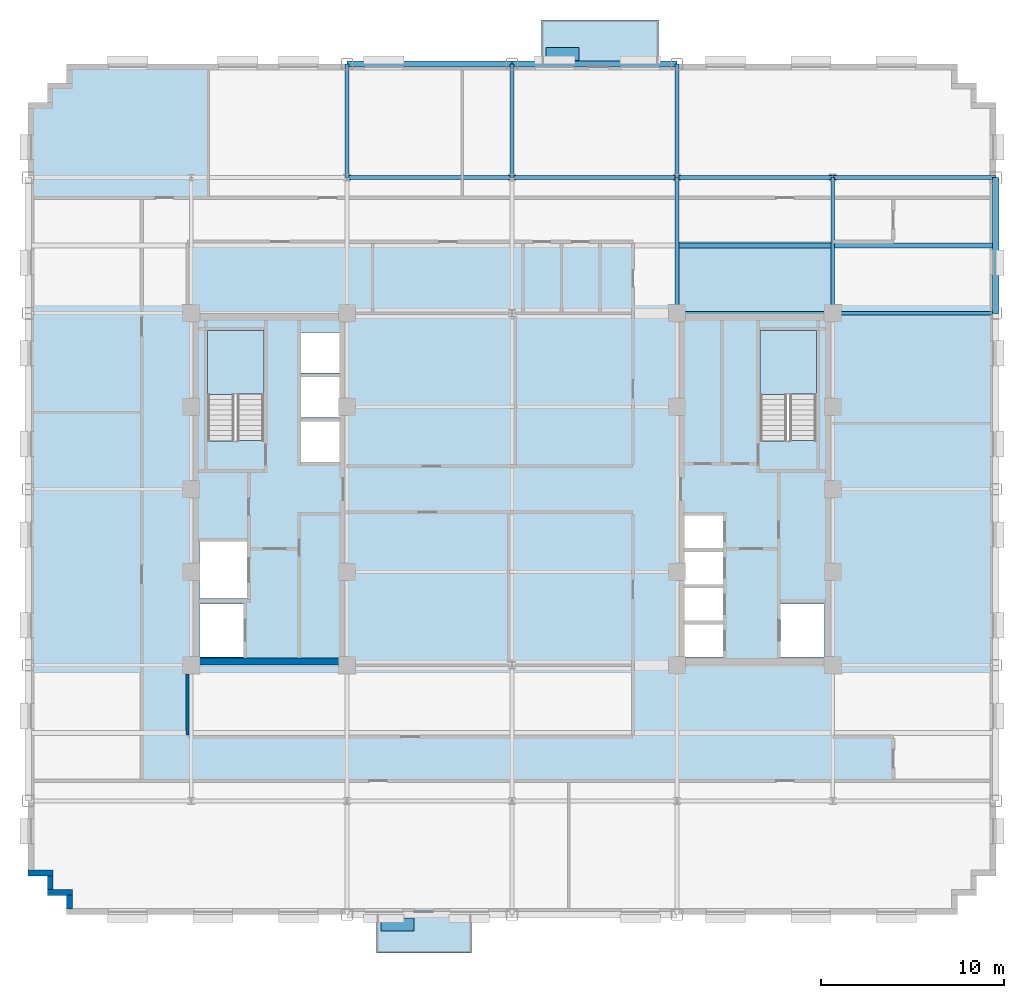
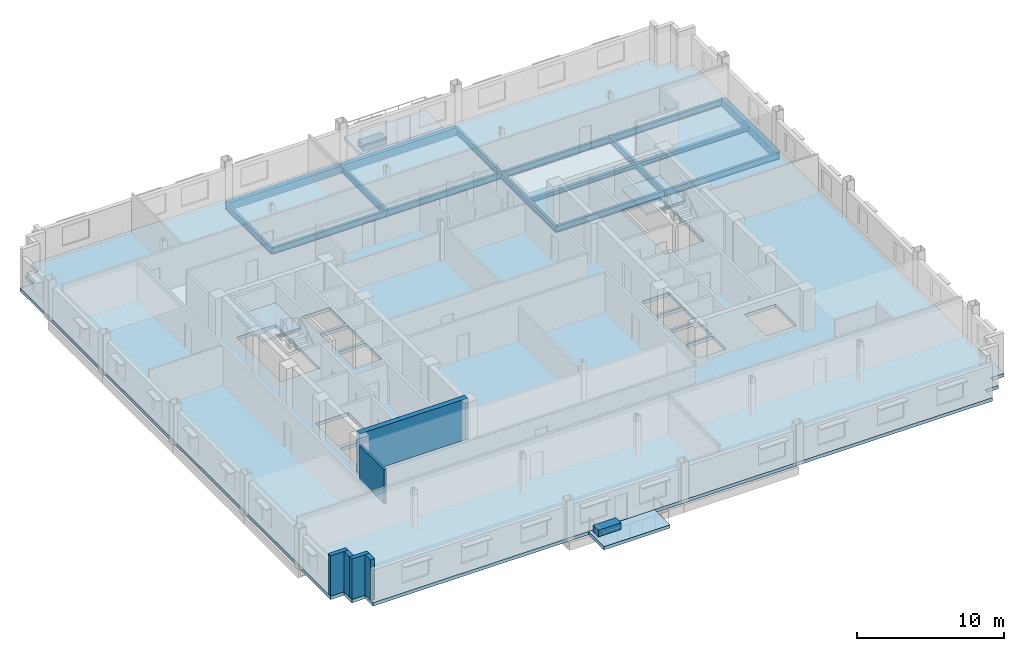
# One storey, part 5 of 14: 16 beams, 6 walls, 5 slabs, 2 plates, 2 elements without a shape of their own.
"""IFC4 building model written with IfcOpenShell, lengths in metres."""

from ifc_helpers import new_model, si_unit, direction, frame, frame_2d, origin, origin_2d, place, context, subcontext, project, spatial, polyline, rectangle, i_section, outline, extrude, source, transform, mapped, material, layer, layer_set, material_profile, profile_set, type_object, type_shapes, element, aggregate, save


model = new_model("IFC4")

# Units and contexts
model_context = context("Model", 3, precision=1e-05, world=origin(), true_north=direction((0.0, 1.0)))
body_context = subcontext(model_context, "Body", "Model", "MODEL_VIEW")
ifc_project = project(units=[si_unit("LENGTHUNIT", "METRE"), si_unit("AREAUNIT", "SQUARE_METRE"), si_unit("VOLUMEUNIT", "CUBIC_METRE"), si_unit("PLANEANGLEUNIT", "RADIAN"), si_unit("MASSUNIT", "GRAM", prefix="KILO")], contexts=[model_context])

# Site, building, storey
site_placement = place(None, origin())
site = spatial("IfcSite", under=ifc_project, at=site_placement, CompositionType="ELEMENT")
building_placement = place(site_placement, origin())
building = spatial("IfcBuilding", under=site, at=building_placement, Name="Nuvemarco Arch Tower", CompositionType="ELEMENT")
storey_placement = place(building_placement, frame((0.0, 0.0, 142.10009765625)))
storey = spatial("IfcBuildingStorey", under=building, at=storey_placement, Name="L37", CompositionType="ELEMENT", Elevation=142.10009765625)

# Beams
ifc_material_1 = material(Name="Steel S355", Category="steel")
ifc_material_profile_1 = material_profile(ifc_material_1, i_section(OverallWidth=0.2109375, OverallDepth=0.5390625, WebThickness=0.01171875, FlangeThickness=0.018798828125, FilletRadius=0.01611328125, at=origin_2d()), Name="W530x109")
ifc_profile_set_1 = profile_set([ifc_material_profile_1], Name="Steel S355")
beam_type_1 = type_object("IfcBeamType", Name="BM-GIRD-530", PredefinedType="BEAM", material=ifc_profile_set_1)
for number, where, z_axis, x_axis, name in (
    (1, (-9.0, 17.0, -0.549560546875), (0.0, 1.0, 0.0), (-1.0, 0.0, 0.0), "L37 structural beam BGNS_L37_0_-9.0_+17.0"),
    (2, (0.0, 17.0, -0.549560546875), (0.0, 1.0, 0.0), (-1.0, 0.0, 0.0), "L37 structural beam BGNS_L37_0_+0.0_+17.0"),
):
    element("IfcBeam", number, at=place(storey_placement, frame(where, z_axis=z_axis, x_axis=x_axis)), inside=storey, type_object=beam_type_1, Name=name, PredefinedType="BEAM", context=body_context, shape_type="SweptSolid", body=[
        extrude(i_section(OverallWidth=0.2109375, OverallDepth=0.5390625, WebThickness=0.01171875, FlangeThickness=0.018798828125, FilletRadius=0.01611328125, at=origin_2d()), origin(), (0.0, 0.0, 1.0), 6.199951171875),
    ])
beam_1_placement = place(storey_placement, frame((9.0, 9.60009765625, -0.549560546875), z_axis=(0.0, 1.0, 0.0), x_axis=(-1.0, 0.0, 0.0)))
element("IfcBeam", 3, at=beam_1_placement, inside=storey, type_object=beam_type_1, Name="L37 structural beam BGNS_L37_0_+9.0_+9.6", PredefinedType="BEAM", context=body_context, shape_type="SweptSolid", body=[
    extrude(i_section(OverallWidth=0.2109375, OverallDepth=0.5390625, WebThickness=0.01171875, FlangeThickness=0.018798828125, FilletRadius=0.01611328125, at=origin_2d()), origin(), (0.0, 0.0, 1.0), 7.39990234375),
])
beam_2_placement = place(storey_placement, frame((9.0, 17.0, -0.549560546875), z_axis=(0.0, 1.0, 0.0), x_axis=(-1.0, 0.0, 0.0)))
element("IfcBeam", 4, at=beam_2_placement, inside=storey, type_object=beam_type_1, Name="L37 structural beam BGNS_L37_0_+9.0_+17.0", PredefinedType="BEAM", context=body_context, shape_type="SweptSolid", body=[
    extrude(i_section(OverallWidth=0.2109375, OverallDepth=0.5390625, WebThickness=0.01171875, FlangeThickness=0.018798828125, FilletRadius=0.01611328125, at=origin_2d()), origin(), (0.0, 0.0, 1.0), 6.199951171875),
])
beam_3_placement = place(storey_placement, frame((17.5, 9.60009765625, -0.549560546875), z_axis=(0.0, 1.0, 0.0), x_axis=(-1.0, 0.0, 0.0)))
element("IfcBeam", 5, at=beam_3_placement, inside=storey, type_object=beam_type_1, Name="L37 structural beam BGNS_L37_0_+17.5_+9.6", PredefinedType="BEAM", context=body_context, shape_type="SweptSolid", body=[
    extrude(i_section(OverallWidth=0.2109375, OverallDepth=0.5390625, WebThickness=0.01171875, FlangeThickness=0.018798828125, FilletRadius=0.01611328125, at=origin_2d()), origin(), (0.0, 0.0, 1.0), 7.39990234375),
])
beam_4_placement = place(storey_placement, frame((9.0, 9.60009765625, -0.549560546875), z_axis=(1.0, 0.0, 0.0), x_axis=(0.0, 1.0, 0.0)))
element("IfcBeam", 6, at=beam_4_placement, inside=storey, type_object=beam_type_1, Name="L37 structural beam BGEW_L37_0_+9.6_+9.0", PredefinedType="BEAM", context=body_context, shape_type="SweptSolid", body=[
    extrude(i_section(OverallWidth=0.2109375, OverallDepth=0.5390625, WebThickness=0.01171875, FlangeThickness=0.018798828125, FilletRadius=0.01611328125, at=origin_2d()), origin(), (0.0, 0.0, 1.0), 8.5),
])
beam_5_placement = place(storey_placement, frame((17.5, 9.60009765625, -0.549560546875), z_axis=(1.0, 0.0, 0.0), x_axis=(0.0, 1.0, 0.0)))
element("IfcBeam", 7, at=beam_5_placement, inside=storey, type_object=beam_type_1, Name="L37 structural beam BGEW_L37_0_+9.6_+17.5", PredefinedType="BEAM", context=body_context, shape_type="SweptSolid", body=[
    extrude(i_section(OverallWidth=0.2109375, OverallDepth=0.5390625, WebThickness=0.01171875, FlangeThickness=0.018798828125, FilletRadius=0.01611328125, at=origin_2d()), origin(), (0.0, 0.0, 1.0), 8.89990234375),
])
for number, where, z_axis, x_axis, name in (
    (8, (-9.0, 17.0, -0.549560546875), (1.0, 0.0, 0.0), (0.0, 1.0, 0.0), "L37 structural beam BGEW_L37_0_+17.0_-9.0"),
    (9, (0.0, 17.0, -0.549560546875), (1.0, 0.0, 0.0), (0.0, 1.0, 0.0), "L37 structural beam BGEW_L37_0_+17.0_+0.0"),
):
    element("IfcBeam", number, at=place(storey_placement, frame(where, z_axis=z_axis, x_axis=x_axis)), inside=storey, type_object=beam_type_1, Name=name, PredefinedType="BEAM", context=body_context, shape_type="SweptSolid", body=[
        extrude(i_section(OverallWidth=0.2109375, OverallDepth=0.5390625, WebThickness=0.01171875, FlangeThickness=0.018798828125, FilletRadius=0.01611328125, at=origin_2d()), origin(), (0.0, 0.0, 1.0), 9.0),
    ])
beam_6_placement = place(storey_placement, frame((9.0, 17.0, -0.549560546875), z_axis=(1.0, 0.0, 0.0), x_axis=(0.0, 1.0, 0.0)))
element("IfcBeam", 10, at=beam_6_placement, inside=storey, type_object=beam_type_1, Name="L37 structural beam BGEW_L37_0_+17.0_+9.0", PredefinedType="BEAM", context=body_context, shape_type="SweptSolid", body=[
    extrude(i_section(OverallWidth=0.2109375, OverallDepth=0.5390625, WebThickness=0.01171875, FlangeThickness=0.018798828125, FilletRadius=0.01611328125, at=origin_2d()), origin(), (0.0, 0.0, 1.0), 8.5),
])
beam_7_placement = place(storey_placement, frame((17.5, 17.0, -0.549560546875), z_axis=(1.0, 0.0, 0.0), x_axis=(0.0, 1.0, 0.0)))
element("IfcBeam", 11, at=beam_7_placement, inside=storey, type_object=beam_type_1, Name="L37 structural beam BGEW_L37_0_+17.0_+17.5", PredefinedType="BEAM", context=body_context, shape_type="SweptSolid", body=[
    extrude(i_section(OverallWidth=0.2109375, OverallDepth=0.5390625, WebThickness=0.01171875, FlangeThickness=0.018798828125, FilletRadius=0.01611328125, at=origin_2d()), origin(), (0.0, 0.0, 1.0), 8.89990234375),
])
ifc_material_profile_2 = material_profile(ifc_material_1, i_section(OverallWidth=0.2548828125, OverallDepth=0.35693359375, WebThickness=0.010498046875, FlangeThickness=0.018310546875, FilletRadius=0.014892578125, at=origin_2d()), Name="W360x101")
ifc_profile_set_2 = profile_set([ifc_material_profile_2], Name="Steel S355")
beam_type_2 = type_object("IfcBeamType", Name="BM-JOIST-360H", PredefinedType="JOIST", material=ifc_profile_set_2)
beam_8_placement = place(storey_placement, frame((9.10546875, 13.300048828125, -0.45849609375), z_axis=(1.0, 0.0, 0.0), x_axis=(0.0, 1.0, 0.0)))
element("IfcBeam", 12, at=beam_8_placement, inside=storey, type_object=beam_type_2, Name="L37 structural beam BJ_L37_0_+13.3_+9.0", PredefinedType="JOIST", context=body_context, shape_type="SweptSolid", body=[
    extrude(i_section(OverallWidth=0.2548828125, OverallDepth=0.35693359375, WebThickness=0.010498046875, FlangeThickness=0.018310546875, FilletRadius=0.014892578125, at=origin_2d()), origin(), (0.0, 0.0, 1.0), 8.2890625),
])
beam_9_placement = place(storey_placement, frame((17.60546875, 13.300048828125, -0.45849609375), z_axis=(1.0, 0.0, 0.0), x_axis=(0.0, 1.0, 0.0)))
element("IfcBeam", 13, at=beam_9_placement, inside=storey, type_object=beam_type_2, Name="L37 structural beam BJ_L37_0_+13.3_+17.5", PredefinedType="JOIST", context=body_context, shape_type="SweptSolid", body=[
    extrude(i_section(OverallWidth=0.2548828125, OverallDepth=0.35693359375, WebThickness=0.010498046875, FlangeThickness=0.018310546875, FilletRadius=0.014892578125, at=origin_2d()), origin(), (0.0, 0.0, 1.0), 8.61962890625),
])
ifc_material_2 = material(Name="Precast concrete C45/55", Category="concrete")
ifc_material_profile_3 = material_profile(ifc_material_2, rectangle(XDim=0.35009765625, YDim=0.64990234375, at=origin_2d()), Name="PC-SP-350x650")
ifc_profile_set_3 = profile_set([ifc_material_profile_3], Name="Precast concrete C45/55")
beam_type_3 = type_object("IfcBeamType", Name="BM-SPAN-RC", PredefinedType="SPANDREL", material=ifc_profile_set_3)
beam_10_placement = place(storey_placement, frame((26.39990234375, 9.60009765625, -0.60498046875), z_axis=(0.0, 1.0, 0.0), x_axis=(-1.0, 0.0, 0.0)))
element("IfcBeam", 14, at=beam_10_placement, inside=storey, type_object=beam_type_3, Name="L37 structural beam BGNS_L37_0_+26.4_+9.6", PredefinedType="SPANDREL", context=body_context, shape_type="SweptSolid", body=[
    extrude(rectangle(XDim=0.35009765625, YDim=0.64990234375, at=origin_2d()), origin(), (0.0, 0.0, 1.0), 7.39990234375),
])
for number, where, z_axis, x_axis, name in (
    (15, (-9.0, 23.199951171875, -0.60498046875), (1.0, 0.0, 0.0), (0.0, 1.0, 0.0), "L37 structural beam BGEW_L37_0_+23.2_-9.0"),
    (16, (0.0, 23.199951171875, -0.60498046875), (1.0, 0.0, 0.0), (0.0, 1.0, 0.0), "L37 structural beam BGEW_L37_0_+23.2_+0.0"),
):
    element("IfcBeam", number, at=place(storey_placement, frame(where, z_axis=z_axis, x_axis=x_axis)), inside=storey, type_object=beam_type_3, Name=name, PredefinedType="SPANDREL", context=body_context, shape_type="SweptSolid", body=[
        extrude(rectangle(XDim=0.35009765625, YDim=0.64990234375, at=origin_2d()), origin(), (0.0, 0.0, 1.0), 9.0),
    ])

# Slab
ifc_material_3 = material(Name="Concrete C50/60", Category="concrete")
ifc_layer_1 = layer(ifc_material_3, 0.280029296875, Name="SL-FLR-280")
ifc_layer_set_1 = layer_set([ifc_layer_1], Name="Concrete C50/60")
slab_type_1 = type_object("IfcSlabType", Name="SL-FLR-280", PredefinedType="FLOOR", material=ifc_layer_set_1)
slab_1_placement = place(storey_placement, frame((0.0, 0.0, -0.280029296875)))
element("IfcSlab", 17, at=slab_1_placement, inside=storey, type_object=slab_type_1, Name="L37 structural floor slab", PredefinedType="FLOOR", context=body_context, shape_type="SweptSolid", body=[
    extrude(outline(polyline([(-24.300048828125, -23.199951171875), (24.300048828125, -23.199951171875), (24.300048828125, -22.14990234375), (25.35009765625, -22.14990234375), (25.35009765625, -21.10009765625), (26.39990234375, -21.10009765625), (26.39990234375, 21.10009765625), (25.35009765625, 21.10009765625), (25.35009765625, 22.14990234375), (24.300048828125, 22.14990234375), (24.300048828125, 23.199951171875), (-24.300048828125, 23.199951171875), (-24.300048828125, 22.14990234375), (-25.35009765625, 22.14990234375), (-25.35009765625, 21.10009765625), (-26.39990234375, 21.10009765625), (-26.39990234375, -21.10009765625), (-25.35009765625, -21.10009765625), (-25.35009765625, -22.14990234375), (-24.300048828125, -22.14990234375), (-24.300048828125, -23.199951171875)]), holes=[polyline([(-13.5400390625, 2.669921875), (-13.5400390625, 8.64990234375), (-16.60009765625, 8.64990234375), (-16.60009765625, 2.630615234375), (-15.070068359375, 2.630615234375), (-15.070068359375, 2.669921875), (-13.5400390625, 2.669921875)]), polyline([(16.60009765625, 2.669921875), (16.60009765625, 8.64990234375), (13.5400390625, 8.64990234375), (13.5400390625, 2.630615234375), (15.070068359375, 2.630615234375), (15.070068359375, 2.669921875), (16.60009765625, 2.669921875)]), polyline([(-17.050048828125, -9.14990234375), (-14.64990234375, -9.14990234375), (-14.64990234375, -6.25), (-17.050048828125, -6.25), (-17.050048828125, -9.14990234375)]), polyline([(-17.050048828125, -5.949951171875), (-14.449951171875, -5.949951171875), (-14.449951171875, -2.85009765625), (-17.050048828125, -2.85009765625), (-17.050048828125, -5.949951171875)]), polyline([(-11.5, 1.5), (-9.35009765625, 1.5), (-9.35009765625, 3.699951171875), (-11.5, 3.699951171875), (-11.5, 1.5)]), polyline([(-11.5, 3.919921875), (-9.35009765625, 3.919921875), (-9.35009765625, 6.1201171875), (-11.5, 6.1201171875), (-11.5, 3.919921875)]), polyline([(-11.5, 6.340087890625), (-9.35009765625, 6.340087890625), (-9.35009765625, 8.5400390625), (-11.5, 8.5400390625), (-11.5, 6.340087890625)]), polyline([(14.64990234375, -9.14990234375), (17.050048828125, -9.14990234375), (17.050048828125, -6.25), (14.64990234375, -6.25), (14.64990234375, -9.14990234375)]), polyline([(9.35009765625, -9.14990234375), (11.5, -9.14990234375), (11.5, -7.3701171875), (9.35009765625, -7.3701171875), (9.35009765625, -9.14990234375)]), polyline([(9.35009765625, -7.169921875), (11.5, -7.169921875), (11.5, -5.389892578125), (9.35009765625, -5.389892578125), (9.35009765625, -7.169921875)]), polyline([(9.35009765625, -5.18994140625), (11.5, -5.18994140625), (11.5, -3.409912109375), (9.35009765625, -3.409912109375), (9.35009765625, -5.18994140625)]), polyline([(9.35009765625, -3.2099609375), (11.5, -3.2099609375), (11.5, -1.429931640625), (9.35009765625, -1.429931640625), (9.35009765625, -3.2099609375)])]), origin(), (0.0, 0.0, 1.0), 0.280029296875),
])

# Stair, slab
stair_type = type_object("IfcStairType", Name="ST-CORE-20R", PredefinedType="HALF_TURN_STAIR", material=ifc_material_2)
stair_1_placement = place(storey_placement, origin())
stair_1 = element("IfcStair", 18, at=stair_1_placement, inside=storey, type_object=stair_type, Name="L37 Protected Exit Stair ST-1", PredefinedType="HALF_TURN_STAIR")
ifc_layer_2 = layer(ifc_material_2, 0.199951171875, Name="SL-LANDING-200")
ifc_layer_set_2 = layer_set([ifc_layer_2], Name="Precast concrete C45/55")
slab_type_2 = type_object("IfcSlabType", Name="SL-LANDING-200", PredefinedType="LANDING", material=ifc_layer_set_2)
slab_2_placement = place(storey_placement, frame((0.0, 0.0, 1.625)))
slab_2 = element("IfcSlab", 19, at=slab_2_placement, type_object=slab_type_2, Name="ST-20R landing 1", PredefinedType="LANDING", context=body_context, shape_type="SweptSolid", body=[
    extrude(outline(polyline([(-13.5400390625, 5.189453125), (-13.5400390625, 8.64990234375), (-16.60009765625, 8.64990234375), (-16.60009765625, 5.169921875), (-15.070068359375, 5.169921875), (-15.070068359375, 5.189453125), (-13.5400390625, 5.189453125)])), origin(), (0.0, 0.0, 1.0), 0.199951171875),
])
aggregate(stair_1, [slab_2])

stair_2_placement = place(storey_placement, origin())
stair_2 = element("IfcStair", 20, at=stair_2_placement, inside=storey, type_object=stair_type, Name="L37 Protected Exit Stair ST-2", PredefinedType="HALF_TURN_STAIR")
slab_3_placement = place(storey_placement, frame((0.0, 0.0, 1.625)))
slab_3 = element("IfcSlab", 21, at=slab_3_placement, type_object=slab_type_2, Name="ST-20R landing 1", PredefinedType="LANDING", context=body_context, shape_type="SweptSolid", body=[
    extrude(outline(polyline([(16.60009765625, 5.189453125), (16.60009765625, 8.64990234375), (13.5400390625, 8.64990234375), (13.5400390625, 5.169921875), (15.070068359375, 5.169921875), (15.070068359375, 5.189453125), (16.60009765625, 5.189453125)])), origin(), (0.0, 0.0, 1.0), 0.199951171875),
])
aggregate(stair_2, [slab_3])

# Slabs
ifc_layer_3 = layer(ifc_material_3, 0.264892578125, Name="SL-TB1")
ifc_layer_set_3 = layer_set([ifc_layer_3], Name="Concrete C50/60")
slab_type_3 = type_object("IfcSlabType", Name="SL-TB1", PredefinedType="FLOOR", material=ifc_layer_set_3)
slab_4_placement = place(storey_placement, frame((0.0, 0.0, -0.26513671875)))
element("IfcSlab", 22, at=slab_4_placement, inside=storey, type_object=slab_type_3, Name="L37 outdoor tree balcony slab 2", PredefinedType="FLOOR", context=body_context, shape_type="SweptSolid", body=[
    extrude(outline(polyline([(-7.39990234375, -25.300048828125), (-2.199951171875, -25.300048828125), (-2.199951171875, -23.199951171875), (-7.39990234375, -23.199951171875), (-7.39990234375, -25.300048828125)])), origin(), (0.0, 0.0, 1.0), 0.26513671875),
])
ifc_layer_4 = layer(ifc_material_3, 0.294921875, Name="SL-TR4")
ifc_layer_set_4 = layer_set([ifc_layer_4], Name="Concrete C50/60")
slab_type_4 = type_object("IfcSlabType", Name="SL-TR4", PredefinedType="FLOOR", material=ifc_layer_set_4)
slab_5_placement = place(storey_placement, frame((0.0, 0.0, -0.295166015625)))
element("IfcSlab", 23, at=slab_5_placement, inside=storey, type_object=slab_type_4, Name="L37 outdoor spiral terrace slab 1", PredefinedType="FLOOR", context=body_context, shape_type="SweptSolid", body=[
    extrude(outline(polyline([(1.60009765625, 23.199951171875), (8.0, 23.199951171875), (8.0, 25.60009765625), (1.60009765625, 25.60009765625), (1.60009765625, 23.199951171875)])), origin(), (0.0, 0.0, 1.0), 0.295166015625),
])

# Plates
ifc_layer_5 = layer(ifc_material_2, 0.550048828125, Name="Tree Balcony Structural Planter")
ifc_layer_set_5 = layer_set([ifc_layer_5], Name="Precast concrete C45/55")
plate_type = type_object("IfcPlateType", Name="Tree Balcony Structural Planter", PredefinedType="USERDEFINED", material=ifc_layer_set_5)
shared_shape = source(origin(), body_context, "Body", "SweptSolid", [
    extrude(rectangle(XDim=1.800048828125, YDim=0.699951171875, at=origin_2d()), origin(), (0.0, 0.0, 1.0), 0.550048828125),
])
type_shapes(plate_type, [shared_shape])
for number, where, z_axis, x_axis, name in (
    (24, (2.75, 23.75, 0.0), (0.0, 0.0, 1.0), (1.0, 0.0, 0.0), "L37 Tree Balcony Structural Planter"),
    (25, (-6.25, -23.75, 0.0), (0.0, 0.0, 1.0), (1.0, 0.0, 0.0), "L37 Tree Balcony Structural Planter"),
):
    element("IfcPlate", number, at=place(storey_placement, frame(where, z_axis=z_axis, x_axis=x_axis)), inside=storey, type_object=plate_type, Name=name, ObjectType="PLANTER", PredefinedType="USERDEFINED", context=body_context, shape_type="MappedRepresentation", body=[
        mapped(shared_shape, transform((0.0, 0.0, 0.0), scale=1.0)),
    ])

# Walls
ifc_layer_6 = layer(ifc_material_2, 0.320068359375, Name="EW-MID-320")
ifc_layer_set_6 = layer_set([ifc_layer_6], Name="Precast concrete C45/55")
wall_type_1 = type_object("IfcWallType", Name="EW-MID-320", PredefinedType="STANDARD", material=ifc_layer_set_6)
wall_1_placement = place(storey_placement, frame((-26.39990234375, -20.93994140625, 0.0), z_axis=(0.0, 0.0, 1.0), x_axis=(1.0, 0.0, 0.0)))
element("IfcWall", 26, at=wall_1_placement, inside=storey, type_object=wall_type_1, Name="L37 exterior precast facade wall 17", PredefinedType="STANDARD", context=body_context, shape_type="SweptSolid", body=[
    extrude(rectangle(XDim=1.369873046875, YDim=0.320068359375, at=frame_2d((0.68505859375, 0.0))), origin(), (0.0, 0.0, 1.0), 3.35986328125),
])
wall_2_placement = place(storey_placement, frame((-25.18994140625, -21.833984375, 0.0), z_axis=(0.0, 0.0, 1.0), x_axis=(0.0, 1.0, 0.0)))
element("IfcWall", 27, at=wall_2_placement, inside=storey, type_object=wall_type_1, Name="L37 exterior precast facade wall 18", PredefinedType="STANDARD", context=body_context, shape_type="SweptSolid", body=[
    extrude(rectangle(XDim=0.738037109375, YDim=0.320068359375, at=frame_2d((0.369140625, 0.0))), origin(), (0.0, 0.0, 1.0), 3.35986328125),
])
wall_3_placement = place(storey_placement, frame((-25.35009765625, -21.989990234375, 0.0), z_axis=(0.0, 0.0, 1.0), x_axis=(1.0, 0.0, 0.0)))
element("IfcWall", 28, at=wall_3_placement, inside=storey, type_object=wall_type_1, Name="L37 exterior precast facade wall 19", PredefinedType="STANDARD", context=body_context, shape_type="SweptSolid", body=[
    extrude(rectangle(XDim=1.3701171875, YDim=0.320068359375, at=frame_2d((0.68505859375, 0.0))), origin(), (0.0, 0.0, 1.0), 3.35986328125),
])
wall_4_placement = place(storey_placement, frame((-24.139892578125, -22.884033203125, 0.0), z_axis=(0.0, 0.0, 1.0), x_axis=(0.0, 1.0, 0.0)))
element("IfcWall", 29, at=wall_4_placement, inside=storey, type_object=wall_type_1, Name="L37 exterior precast facade wall 20", PredefinedType="STANDARD", context=body_context, shape_type="SweptSolid", body=[
    extrude(rectangle(XDim=0.738037109375, YDim=0.320068359375, at=frame_2d((0.369140625, 0.0))), origin(), (0.0, 0.0, 1.0), 3.35986328125),
])
ifc_material_4 = material(Name="Concrete C60/75", Category="concrete")
ifc_layer_7 = layer(ifc_material_4, 0.39990234375, Name="WL-CORE-400")
ifc_layer_set_7 = layer_set([ifc_layer_7], Name="Concrete C60/75")
wall_type_2 = type_object("IfcWallType", Name="WL-CORE-400", PredefinedType="SHEAR", material=ifc_layer_set_7)
wall_5_placement = place(storey_placement, frame((-17.5, -9.39990234375, 0.0), z_axis=(0.0, 0.0, 1.0), x_axis=(1.0, 0.0, 0.0)))
element("IfcWall", 30, at=wall_5_placement, inside=storey, type_object=wall_type_2, Name="L37 W-core shear wall S", PredefinedType="SHEAR", context=body_context, shape_type="SweptSolid", body=[
    extrude(rectangle(XDim=8.5, YDim=0.39990234375, at=frame_2d((4.25, 0.0))), origin(), (0.0, 0.0, 1.0), 3.369873046875),
])
ifc_material_5 = material(Name="Fire-rated gypsum drywall partition")
ifc_layer_8 = layer(ifc_material_5, 0.179931640625, Name="WL-CORR-180")
ifc_layer_set_8 = layer_set([ifc_layer_8], Name="Fire-rated gypsum drywall partition")
wall_type_3 = type_object("IfcWallType", Name="WL-CORR-180", PredefinedType="PARTITIONING", material=ifc_layer_set_8)
wall_6_placement = place(storey_placement, frame((-17.699951171875, -13.4140625, 0.0), z_axis=(0.0, 0.0, 1.0), x_axis=(0.0, 1.0, 0.0)))
element("IfcWall", 31, at=wall_6_placement, inside=storey, type_object=wall_type_3, Name="L37 interior wall IW-L37-016", PredefinedType="PARTITIONING", context=body_context, shape_type="SweptSolid", body=[
    extrude(rectangle(XDim=3.343017578125, YDim=0.179931640625, at=frame_2d((1.67138671875, 0.0))), origin(), (0.0, 0.0, 1.0), 2.81591796875),
])

save(model, "model.ifc")
